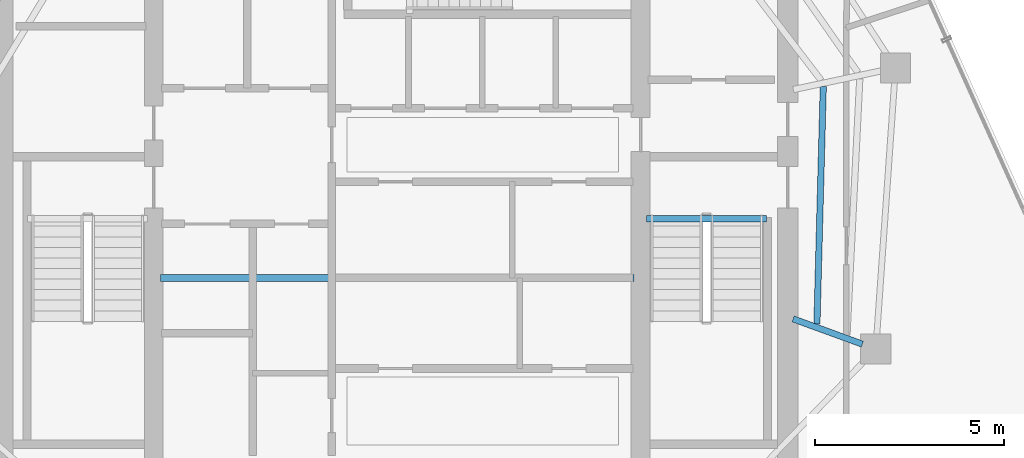
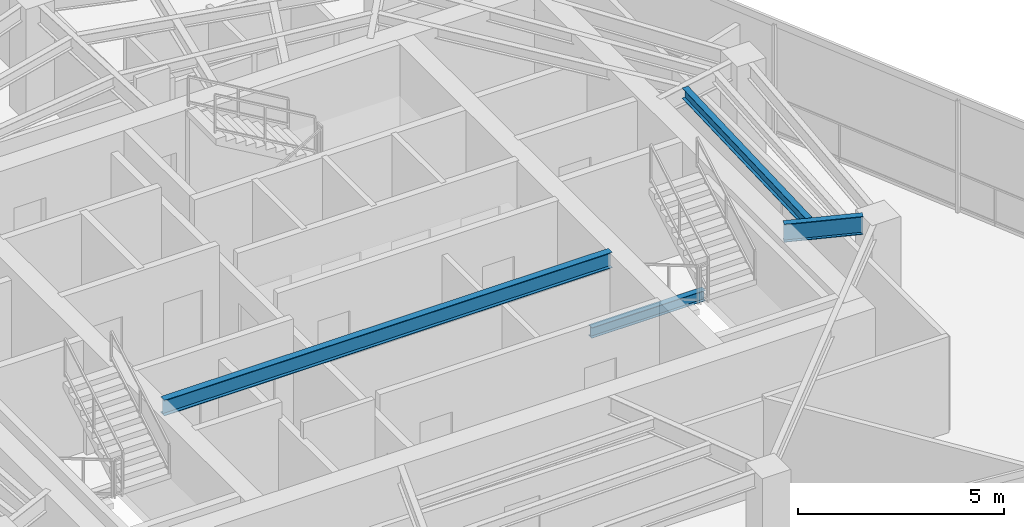
# One storey, part 5 of 18: 4 beams.
"""IFC4 building model written with IfcOpenShell, lengths in metres."""

from ifc_helpers import new_model, si_unit, direction, frame, origin, origin_2d, place, context, subcontext, project, spatial, i_section, extrude, material, material_profile, profile_set, type_object, element, save


model = new_model("IFC4")

# Units and contexts
model_context = context("Model", 3, precision=1e-05, world=origin(), true_north=direction((0.0, 1.0)))
body_context = subcontext(model_context, "Body", "Model", "MODEL_VIEW")
ifc_project = project(units=[si_unit("LENGTHUNIT", "METRE"), si_unit("AREAUNIT", "SQUARE_METRE"), si_unit("VOLUMEUNIT", "CUBIC_METRE"), si_unit("PLANEANGLEUNIT", "RADIAN"), si_unit("MASSUNIT", "GRAM", prefix="KILO")], contexts=[model_context])

# Site, building, storey
site_placement = place(None, origin())
site = spatial("IfcSite", under=ifc_project, at=site_placement, CompositionType="ELEMENT")
building_placement = place(site_placement, origin())
building = spatial("IfcBuilding", under=site, at=building_placement, Name="Qarnah Convention Tower", CompositionType="ELEMENT")
storey_placement = place(building_placement, frame((0.0, 0.0, 271.5)))
storey = spatial("IfcBuildingStorey", under=building, at=storey_placement, Name="L73", CompositionType="ELEMENT", Elevation=271.5)

# Beams
ifc_material = material(Name="Structural steel S355JR", Category="steel")
ifc_material_profile_1 = material_profile(ifc_material, i_section(OverallWidth=0.19189453125, OverallDepth=0.464111328125, WebThickness=0.010986328125, FlangeThickness=0.01806640625, at=origin_2d()), Name="W460X89")
ifc_profile_set_1 = profile_set([ifc_material_profile_1], Name="Structural steel S355JR")
beam_type_1 = type_object("IfcBeamType", Name="BM-CANT-W460A", PredefinedType="BEAM", material=ifc_profile_set_1)
beam_1_placement = place(storey_placement, frame((30.97998046875, 23.64990234375, 3.087890625), z_axis=(1.0, 0.0, 0.0), x_axis=(0.0, 1.0, 0.0)))
element("IfcBeam", 1, at=beam_1_placement, inside=storey, type_object=beam_type_1, Name="L73 beam BM-L73-KC1", PredefinedType="BEAM", context=body_context, shape_type="SweptSolid", body=[
    extrude(i_section(OverallWidth=0.19189453125, OverallDepth=0.464111328125, WebThickness=0.010986328125, FlangeThickness=0.01806640625, at=origin_2d()), origin(), (0.0, 0.0, 1.0), 12.5400390625),
])
ifc_material_profile_2 = material_profile(ifc_material, i_section(OverallWidth=0.166015625, OverallDepth=0.31201171875, WebThickness=0.007080078125, FlangeThickness=0.010986328125, at=origin_2d()), Name="W310X45")
ifc_profile_set_2 = profile_set([ifc_material_profile_2], Name="Structural steel S355JR")
beam_type_2 = type_object("IfcBeamType", Name="BM-JST-W310", PredefinedType="JOIST", material=ifc_profile_set_2)
beam_2_placement = place(storey_placement, frame((43.860107421875, 25.217041015625, -0.156005859375), z_axis=(1.0, 0.0, 0.0), x_axis=(0.0, 1.0, 0.0)))
element("IfcBeam", 2, at=beam_2_placement, inside=storey, type_object=beam_type_2, Name="L73 stair landing trimmer beam BM-L73-ST2-TRM", PredefinedType="BEAM", context=body_context, shape_type="SweptSolid", body=[
    extrude(i_section(OverallWidth=0.166015625, OverallDepth=0.31201171875, WebThickness=0.007080078125, FlangeThickness=0.010986328125, at=origin_2d()), origin(), (0.0, 0.0, 1.0), 3.179931640625),
])
beam_3_placement = place(storey_placement, frame((48.3720703125, 22.425048828125, 3.1640625), z_axis=(0.026673720323, 0.999644193023, 0.0), x_axis=(-0.999644193023, 0.026673720323, 0.0)))
element("IfcBeam", 3, at=beam_3_placement, inside=storey, type_object=beam_type_2, Name="L73 joist BM-L73-IJST-09", PredefinedType="JOIST", context=body_context, shape_type="SweptSolid", body=[
    extrude(i_section(OverallWidth=0.166015625, OverallDepth=0.31201171875, WebThickness=0.007080078125, FlangeThickness=0.010986328125, at=origin_2d()), origin(), (0.0, 0.0, 1.0), 6.297119140625),
])
ifc_material_profile_3 = material_profile(ifc_material, i_section(OverallWidth=0.166015625, OverallDepth=0.535888671875, WebThickness=0.010009765625, FlangeThickness=0.01708984375, at=origin_2d()), Name="W530X85")
ifc_profile_set_3 = profile_set([ifc_material_profile_3], Name="Structural steel S355JR")
beam_type_3 = type_object("IfcBeamType", Name="BM-RAD-W530B", PredefinedType="BEAM", material=ifc_profile_set_3)
beam_4_placement = place(storey_placement, frame((47.740966796875, 22.56396484375, 3.052001953125), z_axis=(0.93967655832, -0.342064271363, 0.0), x_axis=(0.342064271363, 0.93967655832, 0.0)))
element("IfcBeam", 4, at=beam_4_placement, inside=storey, type_object=beam_type_3, Name="L73 beam BM-L73-RAD-09", PredefinedType="BEAM", context=body_context, shape_type="SweptSolid", body=[
    extrude(i_section(OverallWidth=0.166015625, OverallDepth=0.535888671875, WebThickness=0.010009765625, FlangeThickness=0.01708984375, at=origin_2d()), origin(), (0.0, 0.0, 1.0), 1.95263671875),
])

save(model, "model.ifc")
